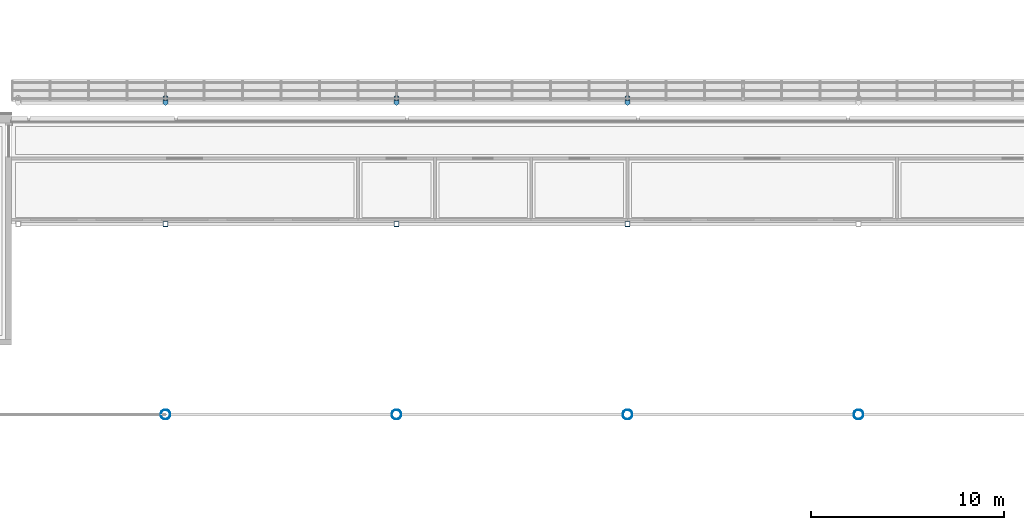
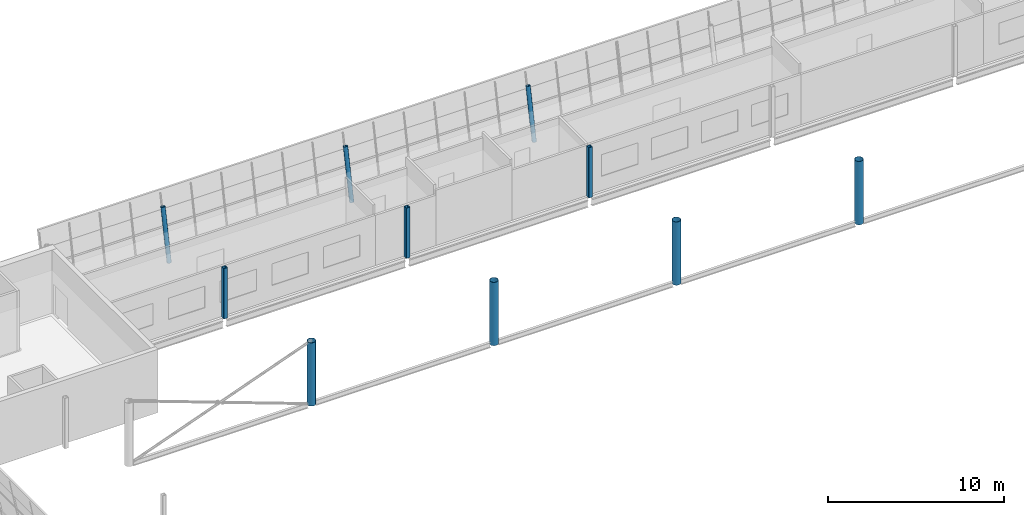
# One storey, part 9 of 95: 10 columns.
"""IFC4 building model written with IfcOpenShell, lengths in metres."""

from ifc_helpers import new_model, si_unit, direction, frame, origin, origin_2d, place, context, subcontext, project, spatial, hollow_rectangle, hollow_circle, extrude, material, material_profile, profile_set, type_object, element, save


model = new_model("IFC4")

# Units and contexts
model_context = context("Model", 3, precision=1e-05, world=origin(), true_north=direction((0.0, 1.0)))
body_context = subcontext(model_context, "Body", "Model", "MODEL_VIEW")
ifc_project = project(units=[si_unit("LENGTHUNIT", "METRE"), si_unit("AREAUNIT", "SQUARE_METRE"), si_unit("VOLUMEUNIT", "CUBIC_METRE"), si_unit("PLANEANGLEUNIT", "RADIAN"), si_unit("MASSUNIT", "GRAM", prefix="KILO")], contexts=[model_context])

# Site, building, storey
site_placement = place(None, origin())
site = spatial("IfcSite", under=ifc_project, at=site_placement, CompositionType="ELEMENT")
building_placement = place(site_placement, origin())
building = spatial("IfcBuilding", under=site, at=building_placement, Name="Windward Yard Aquatics Centre", CompositionType="ELEMENT")
storey_placement = place(building_placement, frame((0.0, 0.0, 9.39990234375)))
storey = spatial("IfcBuildingStorey", under=building, at=storey_placement, Name="L02", CompositionType="ELEMENT", Elevation=9.39990234375)

# Columns
ifc_material = material(Name="Steel ASTM A500 Gr C", Category="steel")
ifc_material_profile_1 = material_profile(ifc_material, hollow_circle(Radius=0.25390625, WallThickness=0.015869140625, at=origin_2d()), Name="HSS508X15.9")
ifc_profile_set_1 = profile_set([ifc_material_profile_1], Name="Steel ASTM A500 Gr C")
column_type_1 = type_object("IfcColumnType", Name="H arch column HSS508X15.9", PredefinedType="COLUMN", material=ifc_profile_set_1)
for number, where, z_axis, x_axis, name in (
    (1, (72.0, 80.39990234375, 0.0), (0.0, 0.0, 1.0), (1.0, 0.0, 0.0), "H.AC.N2.L02"),
    (2, (84.0, 80.39990234375, 0.0), (0.0, 0.0, 1.0), (1.0, 0.0, 0.0), "H.AC.N3.L02"),
    (3, (96.0, 80.39990234375, 0.0), (0.0, 0.0, 1.0), (1.0, 0.0, 0.0), "H.AC.N4.L02"),
    (4, (108.0, 80.39990234375, 0.0), (0.0, 0.0, 1.0), (1.0, 0.0, 0.0), "H.AC.N5.L02"),
):
    element("IfcColumn", number, at=place(storey_placement, frame(where, z_axis=z_axis, x_axis=x_axis)), inside=storey, type_object=column_type_1, Name=name, PredefinedType="COLUMN", context=body_context, shape_type="SweptSolid", body=[
        extrude(hollow_circle(Radius=0.25390625, WallThickness=0.015869140625, at=origin_2d()), origin(), (0.0, 0.0, 1.0), 4.400146484375),
    ])
ifc_material_profile_2 = material_profile(ifc_material, hollow_rectangle(XDim=0.25390625, YDim=0.25390625, WallThickness=0.015869140625, InnerFilletRadius=0.008056640625, OuterFilletRadius=0.02392578125, at=origin_2d()), Name="HSS254X254X15.9")
ifc_profile_set_2 = profile_set([ifc_material_profile_2], Name="Steel ASTM A500 Gr C")
column_type_2 = type_object("IfcColumnType", Name="H inner column HSS254X254X15.9", PredefinedType="COLUMN", material=ifc_profile_set_2)
for number, where, z_axis, x_axis, name in (
    (5, (72.0, 90.290283203125, 0.0), (0.0, 0.0, 1.0), (1.0, 0.0, 0.0), "H.IC.N2.L02"),
    (6, (84.0, 90.290283203125, 0.0), (0.0, 0.0, 1.0), (1.0, 0.0, 0.0), "H.IC.N3.L02"),
    (7, (96.0, 90.290283203125, 0.0), (0.0, 0.0, 1.0), (1.0, 0.0, 0.0), "H.IC.N4.L02"),
):
    element("IfcColumn", number, at=place(storey_placement, frame(where, z_axis=z_axis, x_axis=x_axis)), inside=storey, type_object=column_type_2, Name=name, PredefinedType="COLUMN", context=body_context, shape_type="SweptSolid", body=[
        extrude(hollow_rectangle(XDim=0.25390625, YDim=0.25390625, WallThickness=0.015869140625, InnerFilletRadius=0.008056640625, OuterFilletRadius=0.02392578125, at=origin_2d()), origin(), (0.0, 0.0, 1.0), 3.49609375),
    ])
ifc_material_profile_3 = material_profile(ifc_material, hollow_circle(Radius=0.136474609375, WallThickness=0.0126953125, at=origin_2d()), Name="HSS273.1X12.7")
ifc_profile_set_3 = profile_set([ifc_material_profile_3], Name="Steel ASTM A500 Gr C")
column_type_3 = type_object("IfcColumnType", Name="H tier 1 leg HSS273.1X12.7", PredefinedType="COLUMN", material=ifc_profile_set_3)
for number, where, z_axis, x_axis, name in (
    (8, (72.0, 96.59521484375, 0.0), (0.0, 0.19937762145, 0.979922733722), (-1.0, 0.0, 0.0), "H.TL.N2.T1B.L02"),
    (9, (84.0, 96.59521484375, 0.0), (0.0, 0.19937762145, 0.979922733722), (-1.0, 0.0, 0.0), "H.TL.N3.T1B.L02"),
    (10, (96.0, 96.59521484375, 0.0), (0.0, 0.19937762145, 0.979922733722), (-1.0, 0.0, 0.0), "H.TL.N4.T1B.L02"),
):
    element("IfcColumn", number, at=place(storey_placement, frame(where, z_axis=z_axis, x_axis=x_axis)), inside=storey, type_object=column_type_3, Name=name, PredefinedType="COLUMN", context=body_context, shape_type="SweptSolid", body=[
        extrude(hollow_circle(Radius=0.136474609375, WallThickness=0.0126953125, at=origin_2d()), origin(), (0.0, 0.0, 1.0), 3.5400390625),
    ])

save(model, "model.ifc")
